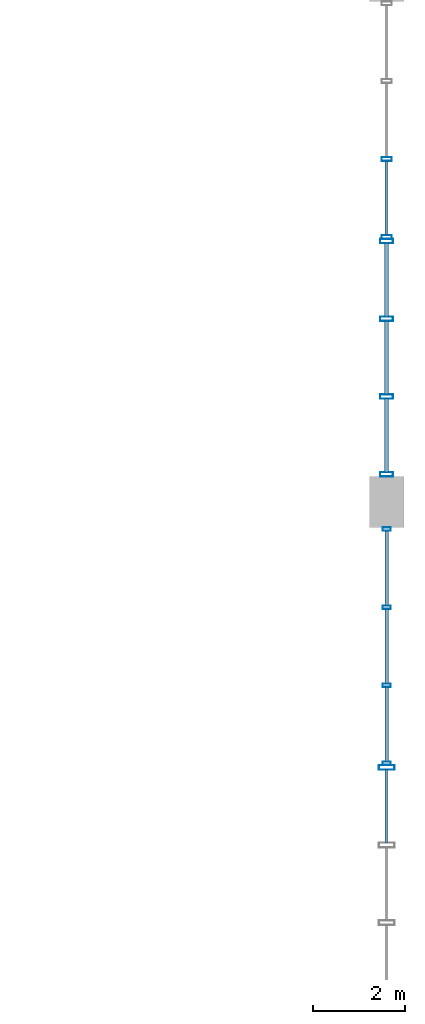
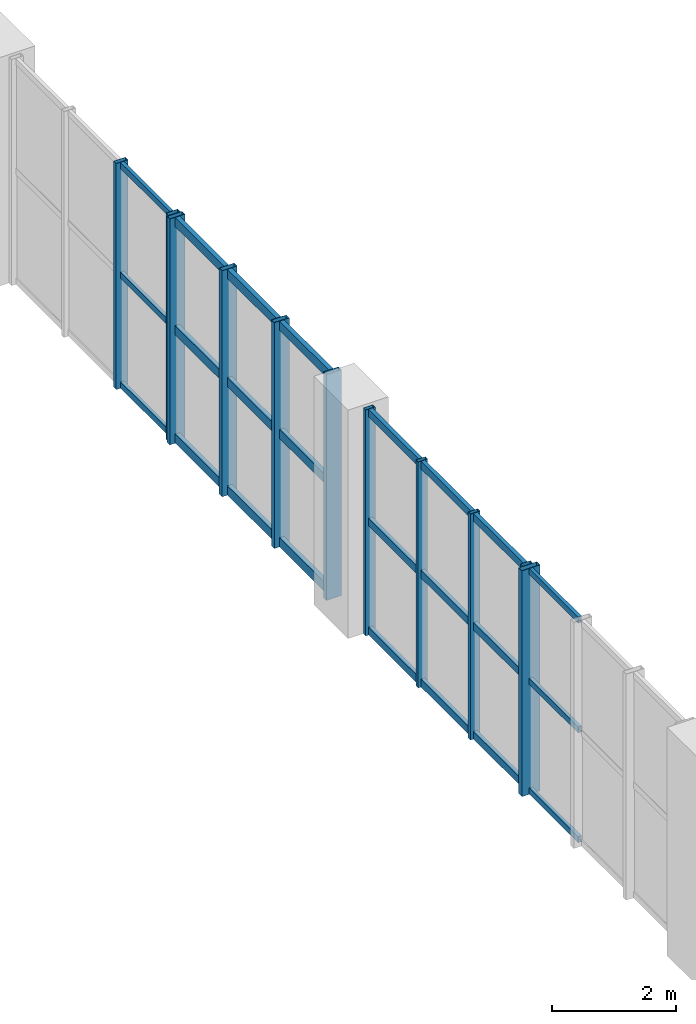
# One storey, part 52 of 80: 35 members, 4 elements without a shape of their own.
"""IFC4 building model written with IfcOpenShell, lengths in metres."""

from ifc_helpers import new_model, si_unit, direction, frame, origin, origin_2d, place, context, subcontext, project, spatial, hollow_rectangle, extrude, material, layer, layer_set, material_profile, profile_set, type_object, element, aggregate, save


model = new_model("IFC4")

# Units and contexts
model_context = context("Model", 3, precision=1e-05, world=origin(), true_north=direction((0.0, 1.0)))
body_context = subcontext(model_context, "Body", "Model", "MODEL_VIEW")
ifc_project = project(units=[si_unit("LENGTHUNIT", "METRE"), si_unit("AREAUNIT", "SQUARE_METRE"), si_unit("VOLUMEUNIT", "CUBIC_METRE"), si_unit("PLANEANGLEUNIT", "RADIAN"), si_unit("MASSUNIT", "GRAM", prefix="KILO"), si_unit("POWERUNIT", "WATT"), si_unit("THERMODYNAMICTEMPERATUREUNIT", "KELVIN")], contexts=[model_context])

# Site, building, storey
site_placement = place(None, origin())
site = spatial("IfcSite", under=ifc_project, at=site_placement, CompositionType="ELEMENT")
building_placement = place(site_placement, origin())
building = spatial("IfcBuilding", under=site, at=building_placement, Name="Kelmbourne Parkland Aquatics Centre", CompositionType="ELEMENT")
storey_placement = place(building_placement, frame((0.0, 0.0, 10.199951171875)))
storey = spatial("IfcBuildingStorey", under=building, at=storey_placement, Name="L02", CompositionType="ELEMENT", Elevation=10.199951171875)

# Curtain wall, members
ifc_material = material(Name="Thermally broken anodised aluminium framing", Category="aluminium")
ifc_layer_1 = layer(ifc_material, 0.179931640625)
ifc_layer_set_1 = layer_set([ifc_layer_1], Name="Thermally broken anodised aluminium framing")
curtain_wall_type_1 = type_object("IfcCurtainWallType", Name="CW-19", PredefinedType="NOTDEFINED", material=ifc_layer_set_1)
curtain_wall_1_placement = place(storey_placement, origin())
curtain_wall_1 = element("IfcCurtainWall", 1, at=curtain_wall_1_placement, inside=storey, type_object=curtain_wall_type_1, Name="Wave-hall clerestory curtain wall CW-L02-091", PredefinedType="NOTDEFINED")
ifc_material_profile_1 = material_profile(ifc_material, hollow_rectangle(XDim=0.074951171875, YDim=0.179931640625, WallThickness=0.00439453125, at=origin_2d()), Name="CW-M 75x180")
ifc_profile_set_1 = profile_set([ifc_material_profile_1], Name="Thermally broken anodised aluminium framing")
member_type_1 = type_object("IfcMemberType", Name="MB-MUL-2", PredefinedType="MULLION", material=ifc_profile_set_1)
member_1_placement = place(storey_placement, frame((175.199951171875, 97.737548828125, 0.0), z_axis=(0.0, 0.0, 1.0), x_axis=(0.0, 1.0, 0.0)))
member_1 = element("IfcMember", 2, at=member_1_placement, type_object=member_type_1, Name="CW-L02-091 mullion 0", PredefinedType="MULLION", context=body_context, shape_type="SweptSolid", body=[
    extrude(hollow_rectangle(XDim=0.074951171875, YDim=0.179931640625, WallThickness=0.00439453125, at=origin_2d()), origin(), (0.0, 0.0, 1.0), 4.449951171875),
])
member_2_placement = place(storey_placement, frame((175.199951171875, 99.428466796875, 0.0), z_axis=(0.0, 0.0, 1.0), x_axis=(0.0, 1.0, 0.0)))
member_2 = element("IfcMember", 3, at=member_2_placement, type_object=member_type_1, Name="CW-L02-091 mullion 1", PredefinedType="MULLION", context=body_context, shape_type="SweptSolid", body=[
    extrude(hollow_rectangle(XDim=0.074951171875, YDim=0.179931640625, WallThickness=0.00439453125, at=origin_2d()), origin(), (0.0, 0.0, 1.0), 4.449951171875),
])
member_3_placement = place(storey_placement, frame((175.199951171875, 101.119384765625, 0.0), z_axis=(0.0, 0.0, 1.0), x_axis=(0.0, 1.0, 0.0)))
member_3 = element("IfcMember", 4, at=member_3_placement, type_object=member_type_1, Name="CW-L02-091 mullion 2", PredefinedType="MULLION", context=body_context, shape_type="SweptSolid", body=[
    extrude(hollow_rectangle(XDim=0.074951171875, YDim=0.179931640625, WallThickness=0.00439453125, at=origin_2d()), origin(), (0.0, 0.0, 1.0), 4.449951171875),
])
member_4_placement = place(storey_placement, frame((175.199951171875, 102.810546875, 0.0), z_axis=(0.0, 0.0, 1.0), x_axis=(0.0, 1.0, 0.0)))
member_4 = element("IfcMember", 5, at=member_4_placement, type_object=member_type_1, Name="CW-L02-091 mullion 3", PredefinedType="MULLION", context=body_context, shape_type="SweptSolid", body=[
    extrude(hollow_rectangle(XDim=0.074951171875, YDim=0.179931640625, WallThickness=0.00439453125, at=origin_2d()), origin(), (0.0, 0.0, 1.0), 4.449951171875),
])

ifc_layer_2 = layer(ifc_material, 0.179931640625)
ifc_layer_set_2 = layer_set([ifc_layer_2], Name="Thermally broken anodised aluminium framing")
curtain_wall_type_2 = type_object("IfcCurtainWallType", Name="CW-06", PredefinedType="NOTDEFINED", material=ifc_layer_set_2)
curtain_wall_2_placement = place(storey_placement, origin())
curtain_wall_2 = element("IfcCurtainWall", 6, at=curtain_wall_2_placement, inside=storey, type_object=curtain_wall_type_2, Name="Wave-hall clerestory curtain wall CW-L02-102", PredefinedType="NOTDEFINED")
ifc_material_profile_2 = material_profile(ifc_material, hollow_rectangle(XDim=0.0849609375, YDim=0.219970703125, WallThickness=0.0048828125, at=origin_2d()), Name="CW-M 85x220")
ifc_profile_set_2 = profile_set([ifc_material_profile_2], Name="Thermally broken anodised aluminium framing")
member_type_2 = type_object("IfcMemberType", Name="MB-MUL-3", PredefinedType="MULLION", material=ifc_profile_set_2)
member_5_placement = place(storey_placement, frame((175.199951171875, 109.142578125, 0.0), z_axis=(0.0, 0.0, 1.0), x_axis=(0.0, 1.0, 0.0)))
member_5 = element("IfcMember", 7, at=member_5_placement, type_object=member_type_2, Name="CW-L02-102 mullion 0", PredefinedType="MULLION", context=body_context, shape_type="SweptSolid", body=[
    extrude(hollow_rectangle(XDim=0.0849609375, YDim=0.219970703125, WallThickness=0.0048828125, at=origin_2d()), origin(), (0.0, 0.0, 1.0), 4.449951171875),
])
member_6_placement = place(storey_placement, frame((175.199951171875, 110.830078125, 0.0), z_axis=(0.0, 0.0, 1.0), x_axis=(0.0, 1.0, 0.0)))
member_6 = element("IfcMember", 8, at=member_6_placement, type_object=member_type_2, Name="CW-L02-102 mullion 1", PredefinedType="MULLION", context=body_context, shape_type="SweptSolid", body=[
    extrude(hollow_rectangle(XDim=0.0849609375, YDim=0.219970703125, WallThickness=0.0048828125, at=origin_2d()), origin(), (0.0, 0.0, 1.0), 4.449951171875),
])

ifc_layer_3 = layer(ifc_material, 0.179931640625)
ifc_layer_set_3 = layer_set([ifc_layer_3], Name="Thermally broken anodised aluminium framing")
curtain_wall_type_3 = type_object("IfcCurtainWallType", Name="CW-02", PredefinedType="NOTDEFINED", material=ifc_layer_set_3)
curtain_wall_3_placement = place(storey_placement, origin())
curtain_wall_3 = element("IfcCurtainWall", 9, at=curtain_wall_3_placement, inside=storey, type_object=curtain_wall_type_3, Name="Wave-hall clerestory curtain wall CW-L02-098", PredefinedType="NOTDEFINED")
ifc_material_profile_3 = material_profile(ifc_material, hollow_rectangle(XDim=0.094970703125, YDim=0.280029296875, WallThickness=0.005615234375, at=origin_2d()), Name="CW-M 95x280")
ifc_profile_set_3 = profile_set([ifc_material_profile_3], Name="Thermally broken anodised aluminium framing")
member_type_3 = type_object("IfcMemberType", Name="MB-MUL-4", PredefinedType="MULLION", material=ifc_profile_set_3)
member_7_placement = place(storey_placement, frame((175.199951171875, 103.99951171875, 0.0), z_axis=(0.0, 0.0, 1.0), x_axis=(0.0, 1.0, 0.0)))
member_7 = element("IfcMember", 10, at=member_7_placement, type_object=member_type_3, Name="CW-L02-098 mullion 0", PredefinedType="MULLION", context=body_context, shape_type="SweptSolid", body=[
    extrude(hollow_rectangle(XDim=0.094970703125, YDim=0.280029296875, WallThickness=0.005615234375, at=origin_2d()), origin(), (0.0, 0.0, 1.0), 4.449951171875),
])
member_8_placement = place(storey_placement, frame((175.199951171875, 105.683837890625, 0.0), z_axis=(0.0, 0.0, 1.0), x_axis=(0.0, 1.0, 0.0)))
member_8 = element("IfcMember", 11, at=member_8_placement, type_object=member_type_3, Name="CW-L02-098 mullion 1", PredefinedType="MULLION", context=body_context, shape_type="SweptSolid", body=[
    extrude(hollow_rectangle(XDim=0.094970703125, YDim=0.280029296875, WallThickness=0.005615234375, at=origin_2d()), origin(), (0.0, 0.0, 1.0), 4.449951171875),
])
member_9_placement = place(storey_placement, frame((175.199951171875, 107.3681640625, 0.0), z_axis=(0.0, 0.0, 1.0), x_axis=(0.0, 1.0, 0.0)))
member_9 = element("IfcMember", 12, at=member_9_placement, type_object=member_type_3, Name="CW-L02-098 mullion 2", PredefinedType="MULLION", context=body_context, shape_type="SweptSolid", body=[
    extrude(hollow_rectangle(XDim=0.094970703125, YDim=0.280029296875, WallThickness=0.005615234375, at=origin_2d()), origin(), (0.0, 0.0, 1.0), 4.449951171875),
])
member_10_placement = place(storey_placement, frame((175.199951171875, 109.052490234375, 0.0), z_axis=(0.0, 0.0, 1.0), x_axis=(0.0, 1.0, 0.0)))
member_10 = element("IfcMember", 13, at=member_10_placement, type_object=member_type_3, Name="CW-L02-098 mullion 3", PredefinedType="MULLION", context=body_context, shape_type="SweptSolid", body=[
    extrude(hollow_rectangle(XDim=0.094970703125, YDim=0.280029296875, WallThickness=0.005615234375, at=origin_2d()), origin(), (0.0, 0.0, 1.0), 4.449951171875),
])

ifc_layer_4 = layer(ifc_material, 0.179931640625)
ifc_layer_set_4 = layer_set([ifc_layer_4], Name="Thermally broken anodised aluminium framing")
curtain_wall_type_4 = type_object("IfcCurtainWallType", Name="CW-12", PredefinedType="NOTDEFINED", material=ifc_layer_set_4)
curtain_wall_4_placement = place(storey_placement, origin())
curtain_wall_4 = element("IfcCurtainWall", 14, at=curtain_wall_4_placement, inside=storey, type_object=curtain_wall_type_4, Name="Wave-hall clerestory curtain wall CW-L02-084", PredefinedType="NOTDEFINED")
ifc_material_profile_4 = material_profile(ifc_material, hollow_rectangle(XDim=0.10498046875, YDim=0.340087890625, WallThickness=0.006103515625, at=origin_2d()), Name="CW-M 105x340")
ifc_profile_set_4 = profile_set([ifc_material_profile_4], Name="Thermally broken anodised aluminium framing")
member_type_4 = type_object("IfcMemberType", Name="MB-MUL-5", PredefinedType="MULLION", material=ifc_profile_set_4)
member_11_placement = place(storey_placement, frame((175.199951171875, 97.6474609375, 0.0), z_axis=(0.0, 0.0, 1.0), x_axis=(0.0, 1.0, 0.0)))
member_11 = element("IfcMember", 15, at=member_11_placement, type_object=member_type_4, Name="CW-L02-084 mullion 3", PredefinedType="MULLION", context=body_context, shape_type="SweptSolid", body=[
    extrude(hollow_rectangle(XDim=0.10498046875, YDim=0.340087890625, WallThickness=0.006103515625, at=origin_2d()), origin(), (0.0, 0.0, 1.0), 4.449951171875),
])
ifc_material_profile_5 = material_profile(ifc_material, hollow_rectangle(XDim=0.06494140625, YDim=0.1201171875, WallThickness=0.00341796875, at=origin_2d()), Name="CW-T 65x120")
ifc_profile_set_5 = profile_set([ifc_material_profile_5], Name="Thermally broken anodised aluminium framing")
member_type_5 = type_object("IfcMemberType", Name="MB-TRN-1", PredefinedType="USERDEFINED", material=ifc_profile_set_5)
member_12_placement = place(storey_placement, frame((175.199951171875, 96.014892578125, 0.06298828125), z_axis=(0.0, 1.0, 0.0), x_axis=(-1.0, 0.0, 0.0)))
member_12 = element("IfcMember", 16, at=member_12_placement, type_object=member_type_5, Name="CW-L02-084 transom 0-2", ObjectType="TRANSOM", PredefinedType="USERDEFINED", context=body_context, shape_type="SweptSolid", body=[
    extrude(hollow_rectangle(XDim=0.06494140625, YDim=0.1201171875, WallThickness=0.00341796875, at=origin_2d()), origin(), (0.0, 0.0, 1.0), 1.584228515625),
])
member_13_placement = place(storey_placement, frame((175.199951171875, 96.014892578125, 2.22509765625), z_axis=(0.0, 1.0, 0.0), x_axis=(-1.0, 0.0, 0.0)))
member_13 = element("IfcMember", 17, at=member_13_placement, type_object=member_type_5, Name="CW-L02-084 transom 1-2", ObjectType="TRANSOM", PredefinedType="USERDEFINED", context=body_context, shape_type="SweptSolid", body=[
    extrude(hollow_rectangle(XDim=0.06494140625, YDim=0.1201171875, WallThickness=0.00341796875, at=origin_2d()), origin(), (0.0, 0.0, 1.0), 1.584228515625),
])
member_14_placement = place(storey_placement, frame((175.199951171875, 96.014892578125, 4.386962890625), z_axis=(0.0, 1.0, 0.0), x_axis=(-1.0, 0.0, 0.0)))
member_14 = element("IfcMember", 18, at=member_14_placement, type_object=member_type_5, Name="CW-L02-084 transom 2-2", ObjectType="TRANSOM", PredefinedType="USERDEFINED", context=body_context, shape_type="SweptSolid", body=[
    extrude(hollow_rectangle(XDim=0.06494140625, YDim=0.1201171875, WallThickness=0.00341796875, at=origin_2d()), origin(), (0.0, 0.0, 1.0), 1.584228515625),
])
aggregate(curtain_wall_4, [member_11, member_12, member_13, member_14])

# Member
member_15_placement = place(storey_placement, frame((175.199951171875, 109.180908203125, 0.06298828125), z_axis=(0.0, 1.0, 0.0), x_axis=(-1.0, 0.0, 0.0)))
member_15 = element("IfcMember", 19, at=member_15_placement, type_object=member_type_5, Name="CW-L02-102 transom 0-0", ObjectType="TRANSOM", PredefinedType="USERDEFINED", context=body_context, shape_type="SweptSolid", body=[
    extrude(hollow_rectangle(XDim=0.06494140625, YDim=0.1201171875, WallThickness=0.00341796875, at=origin_2d()), origin(), (0.0, 0.0, 1.0), 1.61083984375),
])

member_16_placement = place(storey_placement, frame((175.199951171875, 109.180908203125, 2.22509765625), z_axis=(0.0, 1.0, 0.0), x_axis=(-1.0, 0.0, 0.0)))
member_16 = element("IfcMember", 20, at=member_16_placement, type_object=member_type_5, Name="CW-L02-102 transom 1-0", ObjectType="TRANSOM", PredefinedType="USERDEFINED", context=body_context, shape_type="SweptSolid", body=[
    extrude(hollow_rectangle(XDim=0.06494140625, YDim=0.1201171875, WallThickness=0.00341796875, at=origin_2d()), origin(), (0.0, 0.0, 1.0), 1.61083984375),
])

member_17_placement = place(storey_placement, frame((175.199951171875, 109.180908203125, 4.386962890625), z_axis=(0.0, 1.0, 0.0), x_axis=(-1.0, 0.0, 0.0)))
member_17 = element("IfcMember", 21, at=member_17_placement, type_object=member_type_5, Name="CW-L02-102 transom 2-0", ObjectType="TRANSOM", PredefinedType="USERDEFINED", context=body_context, shape_type="SweptSolid", body=[
    extrude(hollow_rectangle(XDim=0.06494140625, YDim=0.1201171875, WallThickness=0.00341796875, at=origin_2d()), origin(), (0.0, 0.0, 1.0), 1.61083984375),
])

aggregate(curtain_wall_2, [member_5, member_6, member_15, member_16, member_17])

ifc_material_profile_6 = material_profile(ifc_material, hollow_rectangle(XDim=0.074951171875, YDim=0.14990234375, WallThickness=0.00390625, at=origin_2d()), Name="CW-T 75x150")
ifc_profile_set_6 = profile_set([ifc_material_profile_6], Name="Thermally broken anodised aluminium framing")
member_type_6 = type_object("IfcMemberType", Name="MB-TRN-2", PredefinedType="USERDEFINED", material=ifc_profile_set_6)
member_18_placement = place(storey_placement, frame((175.199951171875, 97.77099609375, 0.078125), z_axis=(0.0, 1.0, 0.0), x_axis=(-1.0, 0.0, 0.0)))
member_18 = element("IfcMember", 22, at=member_18_placement, type_object=member_type_6, Name="CW-L02-091 transom 0-0", ObjectType="TRANSOM", PredefinedType="USERDEFINED", context=body_context, shape_type="SweptSolid", body=[
    extrude(hollow_rectangle(XDim=0.074951171875, YDim=0.14990234375, WallThickness=0.00390625, at=origin_2d()), origin(), (0.0, 0.0, 1.0), 1.6240234375),
])

member_19_placement = place(storey_placement, frame((175.199951171875, 99.4619140625, 0.078125), z_axis=(0.0, 1.0, 0.0), x_axis=(-1.0, 0.0, 0.0)))
member_19 = element("IfcMember", 23, at=member_19_placement, type_object=member_type_6, Name="CW-L02-091 transom 0-1", ObjectType="TRANSOM", PredefinedType="USERDEFINED", context=body_context, shape_type="SweptSolid", body=[
    extrude(hollow_rectangle(XDim=0.074951171875, YDim=0.14990234375, WallThickness=0.00390625, at=origin_2d()), origin(), (0.0, 0.0, 1.0), 1.6240234375),
])

member_20_placement = place(storey_placement, frame((175.199951171875, 101.153076171875, 0.078125), z_axis=(0.0, 1.0, 0.0), x_axis=(-1.0, 0.0, 0.0)))
member_20 = element("IfcMember", 24, at=member_20_placement, type_object=member_type_6, Name="CW-L02-091 transom 0-2", ObjectType="TRANSOM", PredefinedType="USERDEFINED", context=body_context, shape_type="SweptSolid", body=[
    extrude(hollow_rectangle(XDim=0.074951171875, YDim=0.14990234375, WallThickness=0.00390625, at=origin_2d()), origin(), (0.0, 0.0, 1.0), 1.6240234375),
])

member_21_placement = place(storey_placement, frame((175.199951171875, 97.77099609375, 2.22509765625), z_axis=(0.0, 1.0, 0.0), x_axis=(-1.0, 0.0, 0.0)))
member_21 = element("IfcMember", 25, at=member_21_placement, type_object=member_type_6, Name="CW-L02-091 transom 1-0", ObjectType="TRANSOM", PredefinedType="USERDEFINED", context=body_context, shape_type="SweptSolid", body=[
    extrude(hollow_rectangle(XDim=0.074951171875, YDim=0.14990234375, WallThickness=0.00390625, at=origin_2d()), origin(), (0.0, 0.0, 1.0), 1.6240234375),
])

member_22_placement = place(storey_placement, frame((175.199951171875, 99.4619140625, 2.22509765625), z_axis=(0.0, 1.0, 0.0), x_axis=(-1.0, 0.0, 0.0)))
member_22 = element("IfcMember", 26, at=member_22_placement, type_object=member_type_6, Name="CW-L02-091 transom 1-1", ObjectType="TRANSOM", PredefinedType="USERDEFINED", context=body_context, shape_type="SweptSolid", body=[
    extrude(hollow_rectangle(XDim=0.074951171875, YDim=0.14990234375, WallThickness=0.00390625, at=origin_2d()), origin(), (0.0, 0.0, 1.0), 1.6240234375),
])

member_23_placement = place(storey_placement, frame((175.199951171875, 101.153076171875, 2.22509765625), z_axis=(0.0, 1.0, 0.0), x_axis=(-1.0, 0.0, 0.0)))
member_23 = element("IfcMember", 27, at=member_23_placement, type_object=member_type_6, Name="CW-L02-091 transom 1-2", ObjectType="TRANSOM", PredefinedType="USERDEFINED", context=body_context, shape_type="SweptSolid", body=[
    extrude(hollow_rectangle(XDim=0.074951171875, YDim=0.14990234375, WallThickness=0.00390625, at=origin_2d()), origin(), (0.0, 0.0, 1.0), 1.6240234375),
])

member_24_placement = place(storey_placement, frame((175.199951171875, 97.77099609375, 4.3720703125), z_axis=(0.0, 1.0, 0.0), x_axis=(-1.0, 0.0, 0.0)))
member_24 = element("IfcMember", 28, at=member_24_placement, type_object=member_type_6, Name="CW-L02-091 transom 2-0", ObjectType="TRANSOM", PredefinedType="USERDEFINED", context=body_context, shape_type="SweptSolid", body=[
    extrude(hollow_rectangle(XDim=0.074951171875, YDim=0.14990234375, WallThickness=0.00390625, at=origin_2d()), origin(), (0.0, 0.0, 1.0), 1.6240234375),
])

member_25_placement = place(storey_placement, frame((175.199951171875, 99.4619140625, 4.3720703125), z_axis=(0.0, 1.0, 0.0), x_axis=(-1.0, 0.0, 0.0)))
member_25 = element("IfcMember", 29, at=member_25_placement, type_object=member_type_6, Name="CW-L02-091 transom 2-1", ObjectType="TRANSOM", PredefinedType="USERDEFINED", context=body_context, shape_type="SweptSolid", body=[
    extrude(hollow_rectangle(XDim=0.074951171875, YDim=0.14990234375, WallThickness=0.00390625, at=origin_2d()), origin(), (0.0, 0.0, 1.0), 1.6240234375),
])

member_26_placement = place(storey_placement, frame((175.199951171875, 101.153076171875, 4.3720703125), z_axis=(0.0, 1.0, 0.0), x_axis=(-1.0, 0.0, 0.0)))
member_26 = element("IfcMember", 30, at=member_26_placement, type_object=member_type_6, Name="CW-L02-091 transom 2-2", ObjectType="TRANSOM", PredefinedType="USERDEFINED", context=body_context, shape_type="SweptSolid", body=[
    extrude(hollow_rectangle(XDim=0.074951171875, YDim=0.14990234375, WallThickness=0.00390625, at=origin_2d()), origin(), (0.0, 0.0, 1.0), 1.6240234375),
])

aggregate(curtain_wall_1, [member_1, member_2, member_3, member_4, member_18, member_19, member_20, member_21, member_22, member_23, member_24, member_25, member_26])

ifc_material_profile_7 = material_profile(ifc_material, hollow_rectangle(XDim=0.0849609375, YDim=0.179931640625, WallThickness=0.00439453125, at=origin_2d()), Name="CW-T 85x180")
ifc_profile_set_7 = profile_set([ifc_material_profile_7], Name="Thermally broken anodised aluminium framing")
member_type_7 = type_object("IfcMemberType", Name="MB-TRN-3", PredefinedType="USERDEFINED", material=ifc_profile_set_7)
member_27_placement = place(storey_placement, frame((175.199951171875, 104.04296875, 0.093017578125), z_axis=(0.0, 1.0, 0.0), x_axis=(-1.0, 0.0, 0.0)))
member_27 = element("IfcMember", 31, at=member_27_placement, type_object=member_type_7, Name="CW-L02-098 transom 0-0", ObjectType="TRANSOM", PredefinedType="USERDEFINED", context=body_context, shape_type="SweptSolid", body=[
    extrude(hollow_rectangle(XDim=0.0849609375, YDim=0.179931640625, WallThickness=0.00439453125, at=origin_2d()), origin(), (0.0, 0.0, 1.0), 1.597412109375),
])

member_28_placement = place(storey_placement, frame((175.199951171875, 105.727294921875, 0.093017578125), z_axis=(0.0, 1.0, 0.0), x_axis=(-1.0, 0.0, 0.0)))
member_28 = element("IfcMember", 32, at=member_28_placement, type_object=member_type_7, Name="CW-L02-098 transom 0-1", ObjectType="TRANSOM", PredefinedType="USERDEFINED", context=body_context, shape_type="SweptSolid", body=[
    extrude(hollow_rectangle(XDim=0.0849609375, YDim=0.179931640625, WallThickness=0.00439453125, at=origin_2d()), origin(), (0.0, 0.0, 1.0), 1.597412109375),
])

member_29_placement = place(storey_placement, frame((175.199951171875, 107.41162109375, 0.093017578125), z_axis=(0.0, 1.0, 0.0), x_axis=(-1.0, 0.0, 0.0)))
member_29 = element("IfcMember", 33, at=member_29_placement, type_object=member_type_7, Name="CW-L02-098 transom 0-2", ObjectType="TRANSOM", PredefinedType="USERDEFINED", context=body_context, shape_type="SweptSolid", body=[
    extrude(hollow_rectangle(XDim=0.0849609375, YDim=0.179931640625, WallThickness=0.00439453125, at=origin_2d()), origin(), (0.0, 0.0, 1.0), 1.597412109375),
])

member_30_placement = place(storey_placement, frame((175.199951171875, 104.04296875, 2.22509765625), z_axis=(0.0, 1.0, 0.0), x_axis=(-1.0, 0.0, 0.0)))
member_30 = element("IfcMember", 34, at=member_30_placement, type_object=member_type_7, Name="CW-L02-098 transom 1-0", ObjectType="TRANSOM", PredefinedType="USERDEFINED", context=body_context, shape_type="SweptSolid", body=[
    extrude(hollow_rectangle(XDim=0.0849609375, YDim=0.179931640625, WallThickness=0.00439453125, at=origin_2d()), origin(), (0.0, 0.0, 1.0), 1.597412109375),
])

member_31_placement = place(storey_placement, frame((175.199951171875, 105.727294921875, 2.22509765625), z_axis=(0.0, 1.0, 0.0), x_axis=(-1.0, 0.0, 0.0)))
member_31 = element("IfcMember", 35, at=member_31_placement, type_object=member_type_7, Name="CW-L02-098 transom 1-1", ObjectType="TRANSOM", PredefinedType="USERDEFINED", context=body_context, shape_type="SweptSolid", body=[
    extrude(hollow_rectangle(XDim=0.0849609375, YDim=0.179931640625, WallThickness=0.00439453125, at=origin_2d()), origin(), (0.0, 0.0, 1.0), 1.597412109375),
])

member_32_placement = place(storey_placement, frame((175.199951171875, 107.41162109375, 2.22509765625), z_axis=(0.0, 1.0, 0.0), x_axis=(-1.0, 0.0, 0.0)))
member_32 = element("IfcMember", 36, at=member_32_placement, type_object=member_type_7, Name="CW-L02-098 transom 1-2", ObjectType="TRANSOM", PredefinedType="USERDEFINED", context=body_context, shape_type="SweptSolid", body=[
    extrude(hollow_rectangle(XDim=0.0849609375, YDim=0.179931640625, WallThickness=0.00439453125, at=origin_2d()), origin(), (0.0, 0.0, 1.0), 1.597412109375),
])

member_33_placement = place(storey_placement, frame((175.199951171875, 104.04296875, 4.35693359375), z_axis=(0.0, 1.0, 0.0), x_axis=(-1.0, 0.0, 0.0)))
member_33 = element("IfcMember", 37, at=member_33_placement, type_object=member_type_7, Name="CW-L02-098 transom 2-0", ObjectType="TRANSOM", PredefinedType="USERDEFINED", context=body_context, shape_type="SweptSolid", body=[
    extrude(hollow_rectangle(XDim=0.0849609375, YDim=0.179931640625, WallThickness=0.00439453125, at=origin_2d()), origin(), (0.0, 0.0, 1.0), 1.597412109375),
])

member_34_placement = place(storey_placement, frame((175.199951171875, 105.727294921875, 4.35693359375), z_axis=(0.0, 1.0, 0.0), x_axis=(-1.0, 0.0, 0.0)))
member_34 = element("IfcMember", 38, at=member_34_placement, type_object=member_type_7, Name="CW-L02-098 transom 2-1", ObjectType="TRANSOM", PredefinedType="USERDEFINED", context=body_context, shape_type="SweptSolid", body=[
    extrude(hollow_rectangle(XDim=0.0849609375, YDim=0.179931640625, WallThickness=0.00439453125, at=origin_2d()), origin(), (0.0, 0.0, 1.0), 1.597412109375),
])

member_35_placement = place(storey_placement, frame((175.199951171875, 107.41162109375, 4.35693359375), z_axis=(0.0, 1.0, 0.0), x_axis=(-1.0, 0.0, 0.0)))
member_35 = element("IfcMember", 39, at=member_35_placement, type_object=member_type_7, Name="CW-L02-098 transom 2-2", ObjectType="TRANSOM", PredefinedType="USERDEFINED", context=body_context, shape_type="SweptSolid", body=[
    extrude(hollow_rectangle(XDim=0.0849609375, YDim=0.179931640625, WallThickness=0.00439453125, at=origin_2d()), origin(), (0.0, 0.0, 1.0), 1.597412109375),
])

aggregate(curtain_wall_3, [member_7, member_8, member_9, member_10, member_27, member_28, member_29, member_30, member_31, member_32, member_33, member_34, member_35])

save(model, "model.ifc")
